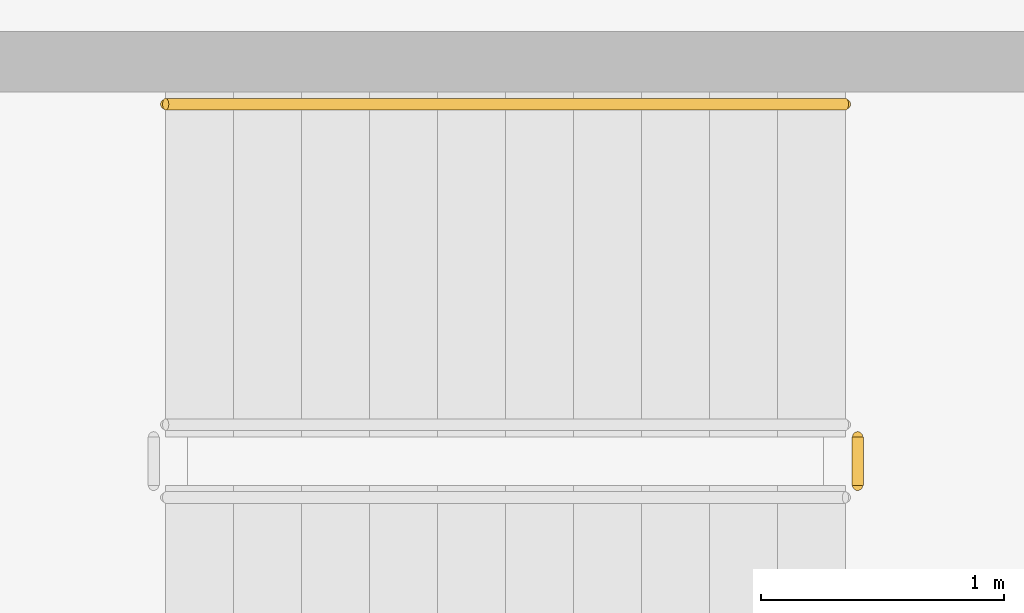
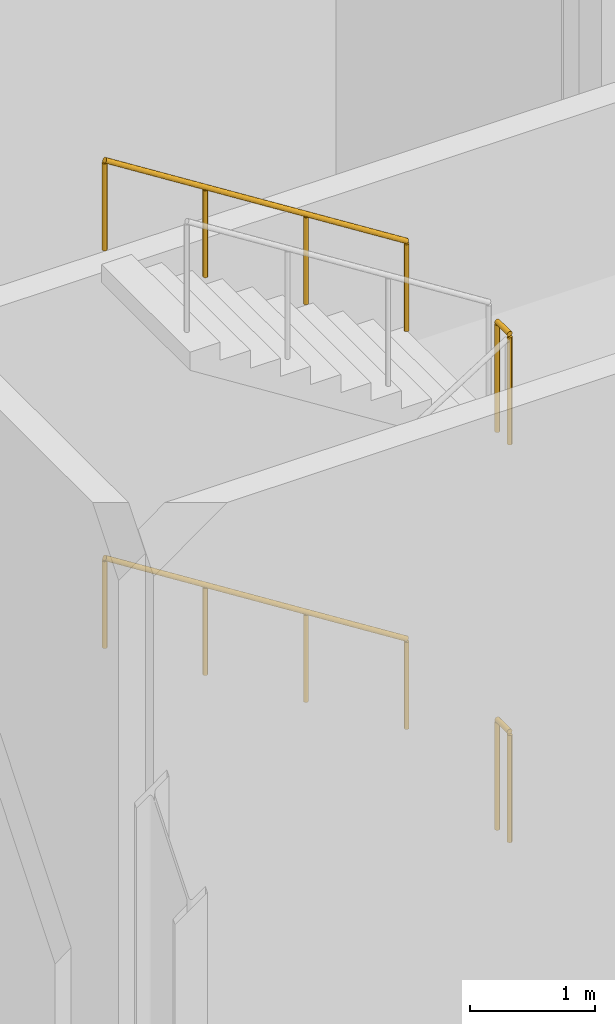
# One storey, part 170 of 176: 4 railings.
"""IFC4 building model written with IfcOpenShell, lengths in metres."""

from ifc_helpers import new_model, si_unit, direction, frame, origin, origin_2d, place, context, subcontext, project, spatial, circle, extrude, material, type_object, element, save


model = new_model("IFC4")

# Units and contexts
model_context = context("Model", 3, precision=1e-05, world=origin(), true_north=direction((0.0, 1.0)))
body_context = subcontext(model_context, "Body", "Model", "MODEL_VIEW")
ifc_project = project(units=[si_unit("LENGTHUNIT", "METRE"), si_unit("AREAUNIT", "SQUARE_METRE"), si_unit("VOLUMEUNIT", "CUBIC_METRE"), si_unit("PLANEANGLEUNIT", "RADIAN"), si_unit("MASSUNIT", "GRAM", prefix="KILO")], contexts=[model_context])

# Site, building, storey
site_placement = place(None, origin())
site = spatial("IfcSite", under=ifc_project, at=site_placement, CompositionType="ELEMENT")
building_placement = place(site_placement, origin())
building = spatial("IfcBuilding", under=site, at=building_placement, Name="Vekula Escarpment Museum", CompositionType="ELEMENT")
storey_placement = place(building_placement, origin())
storey = spatial("IfcBuildingStorey", under=building, at=storey_placement, Name="L01", CompositionType="ELEMENT", Elevation=0.0)

# Railings
ifc_material_1 = material(Name="Painted Steel S355 stair guard", Category="steel")
railing_type_1 = type_object("IfcRailingType", Name="RL-STAIR-GUARD", PredefinedType="GUARDRAIL", material=ifc_material_1)
for number, where, name in (
    (1, (122.77001953125, 55.419921875, 1.949951171875), "L01 ST-08 stair guard 2"),
    (2, (122.77001953125, 55.419921875, 5.85009765625), "L01 ST-08 stair guard 6"),
):
    element("IfcRailing", number, at=place(storey_placement, frame(where)), inside=storey, type_object=railing_type_1, Name=name, PredefinedType="GUARDRAIL", context=body_context, shape_type="SweptSolid", body=[
        extrude(circle(Radius=0.02392578125, at=origin_2d()), frame((0.0, 0.0, 1.076171875), z_axis=(0.0, 1.0, 0.0), x_axis=(-1.0, 0.0, 0.0)), (0.0, 0.0, 1.0), 0.2001953125),
        extrude(circle(Radius=0.02099609375, at=origin_2d()), origin(), (0.0, 0.0, 1.0), 1.052001953125),
        extrude(circle(Radius=0.02099609375, at=origin_2d()), frame((0.0, 0.2001953125, 0.0)), (0.0, 0.0, 1.0), 1.052001953125),
    ])
ifc_material_2 = material(Name="Brushed stainless steel handrail", Category="steel")
railing_type_2 = type_object("IfcRailingType", Name="RL-STAIR-HAND", PredefinedType="HANDRAIL", material=ifc_material_2)
for number, where, name in (
    (3, (122.719970703125, 56.989990234375, 2.127197265625), "L01 ST-08 stair handrail 2"),
    (4, (122.719970703125, 56.989990234375, 6.02734375), "L01 ST-08 stair handrail 4"),
):
    element("IfcRailing", number, at=place(storey_placement, frame(where)), inside=storey, type_object=railing_type_2, Name=name, PredefinedType="HANDRAIL", context=body_context, shape_type="SweptSolid", body=[
        extrude(circle(Radius=0.02392578125, at=origin_2d()), frame((0.0, 0.0, 0.8759765625), z_axis=(-0.844908973607, 0.0, 0.534910110503), x_axis=(0.0, -1.0, 0.0)), (0.0, 0.0, 1.0), 3.31396484375),
        extrude(circle(Radius=0.02099609375, at=origin_2d()), origin(), (0.0, 0.0, 1.0), 0.851806640625),
        extrude(circle(Radius=0.02099609375, at=origin_2d()), frame((-0.933349609375, 0.0, 0.5908203125)), (0.0, 0.0, 1.0), 0.851806640625),
        extrude(circle(Radius=0.02099609375, at=origin_2d()), frame((-1.86669921875, 0.0, 1.181884765625)), (0.0, 0.0, 1.0), 0.851806640625),
        extrude(circle(Radius=0.02099609375, at=origin_2d()), frame((-2.800048828125, 0.0, 1.772705078125)), (0.0, 0.0, 1.0), 0.851806640625),
    ])

save(model, "model.ifc")
